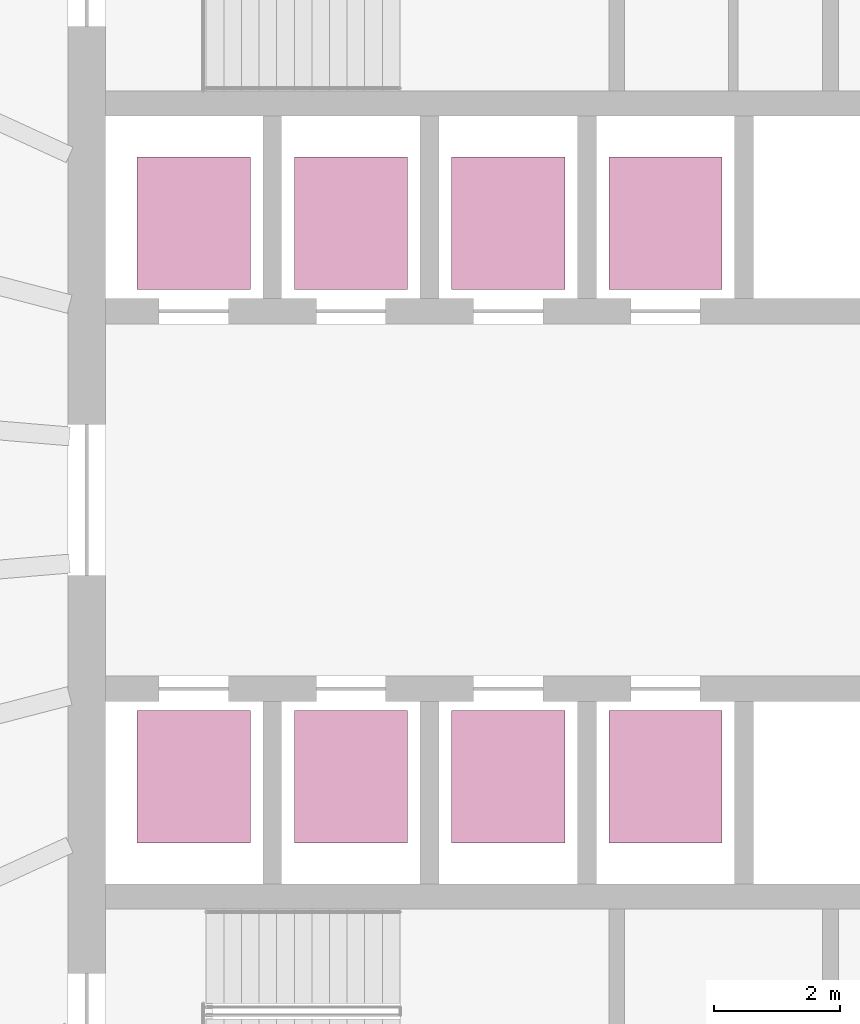
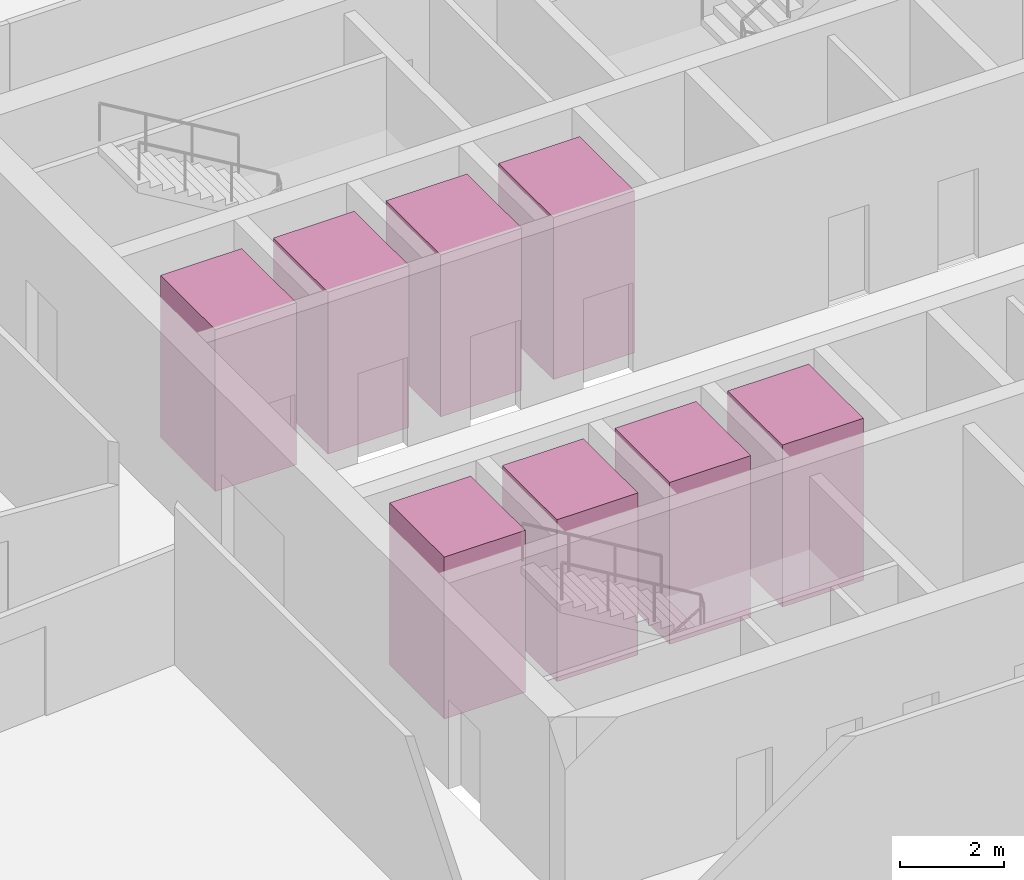
# One storey, part 10 of 10: 8 transport elements.
"""IFC4 building model written with IfcOpenShell, lengths in metres."""

from ifc_helpers import new_model, si_unit, direction, frame, origin, origin_2d, place, context, subcontext, project, spatial, rectangle, extrude, material, type_object, element, save


model = new_model("IFC4")

# Units and contexts
model_context = context("Model", 3, precision=1e-05, world=origin(), true_north=direction((0.0, 1.0)))
body_context = subcontext(model_context, "Body", "Model", "MODEL_VIEW")
ifc_project = project(units=[si_unit("LENGTHUNIT", "METRE"), si_unit("AREAUNIT", "SQUARE_METRE"), si_unit("VOLUMEUNIT", "CUBIC_METRE"), si_unit("PLANEANGLEUNIT", "RADIAN"), si_unit("MASSUNIT", "GRAM", prefix="KILO")], contexts=[model_context])

# Site, building, storey
site_placement = place(None, origin())
site = spatial("IfcSite", under=ifc_project, at=site_placement, CompositionType="ELEMENT")
building_placement = place(site_placement, origin())
building = spatial("IfcBuilding", under=site, at=building_placement, Name="Halqa Exchange Tower", CompositionType="ELEMENT")
storey_placement = place(building_placement, frame((0.0, 0.0, 186.89990234375)))
storey = spatial("IfcBuildingStorey", under=building, at=storey_placement, Name="L42", CompositionType="ELEMENT", Elevation=186.89990234375)

# Transport elements
ifc_material = material(Name="Stainless steel", Category="steel")
transport_element_type_1 = type_object("IfcTransportElementType", Name="High-rise passenger lift 1800 x 2100", PredefinedType="ELEVATOR", material=ifc_material)
for number, where, z_axis, x_axis, name in (
    (1, (-10.0, 4.39990234375, 0.0), (0.0, 0.0, 1.0), (1.0, 0.0, 0.0), "High-rise passenger lift HR1"),
    (2, (-7.5, 4.39990234375, 0.0), (0.0, 0.0, 1.0), (1.0, 0.0, 0.0), "High-rise passenger lift HR2"),
    (3, (-10.0, -4.39990234375, 0.0), (0.0, 0.0, 1.0), (1.0, 0.0, 0.0), "High-rise passenger lift HR3"),
    (4, (-7.5, -4.39990234375, 0.0), (0.0, 0.0, 1.0), (1.0, 0.0, 0.0), "High-rise passenger lift HR4"),
):
    element("IfcTransportElement", number, at=place(storey_placement, frame(where, z_axis=z_axis, x_axis=x_axis)), inside=storey, type_object=transport_element_type_1, Name=name, PredefinedType="ELEVATOR", context=body_context, shape_type="SweptSolid", body=[
        extrude(rectangle(XDim=1.800048828125, YDim=2.10009765625, at=origin_2d()), origin(), (0.0, 0.0, 1.0), 3.800048828125),
    ])
transport_element_type_2 = type_object("IfcTransportElementType", Name="Mid-rise passenger lift 1800 x 2100", PredefinedType="ELEVATOR", material=ifc_material)
for number, where, z_axis, x_axis, name in (
    (5, (-5.0, 4.39990234375, 0.0), (0.0, 0.0, 1.0), (1.0, 0.0, 0.0), "Mid-rise passenger lift MR1"),
    (6, (-2.5, 4.39990234375, 0.0), (0.0, 0.0, 1.0), (1.0, 0.0, 0.0), "Mid-rise passenger lift MR2"),
    (7, (-5.0, -4.39990234375, 0.0), (0.0, 0.0, 1.0), (1.0, 0.0, 0.0), "Mid-rise passenger lift MR3"),
    (8, (-2.5, -4.39990234375, 0.0), (0.0, 0.0, 1.0), (1.0, 0.0, 0.0), "Mid-rise passenger lift MR4"),
):
    element("IfcTransportElement", number, at=place(storey_placement, frame(where, z_axis=z_axis, x_axis=x_axis)), inside=storey, type_object=transport_element_type_2, Name=name, PredefinedType="ELEVATOR", context=body_context, shape_type="SweptSolid", body=[
        extrude(rectangle(XDim=1.800048828125, YDim=2.10009765625, at=origin_2d()), origin(), (0.0, 0.0, 1.0), 3.800048828125),
    ])

save(model, "model.ifc")
